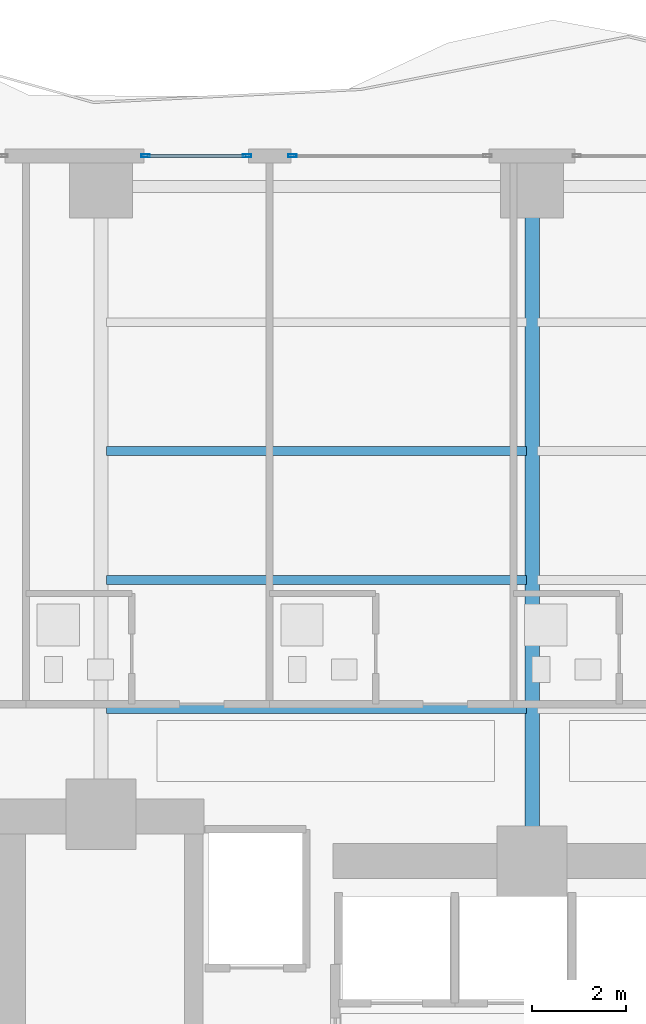
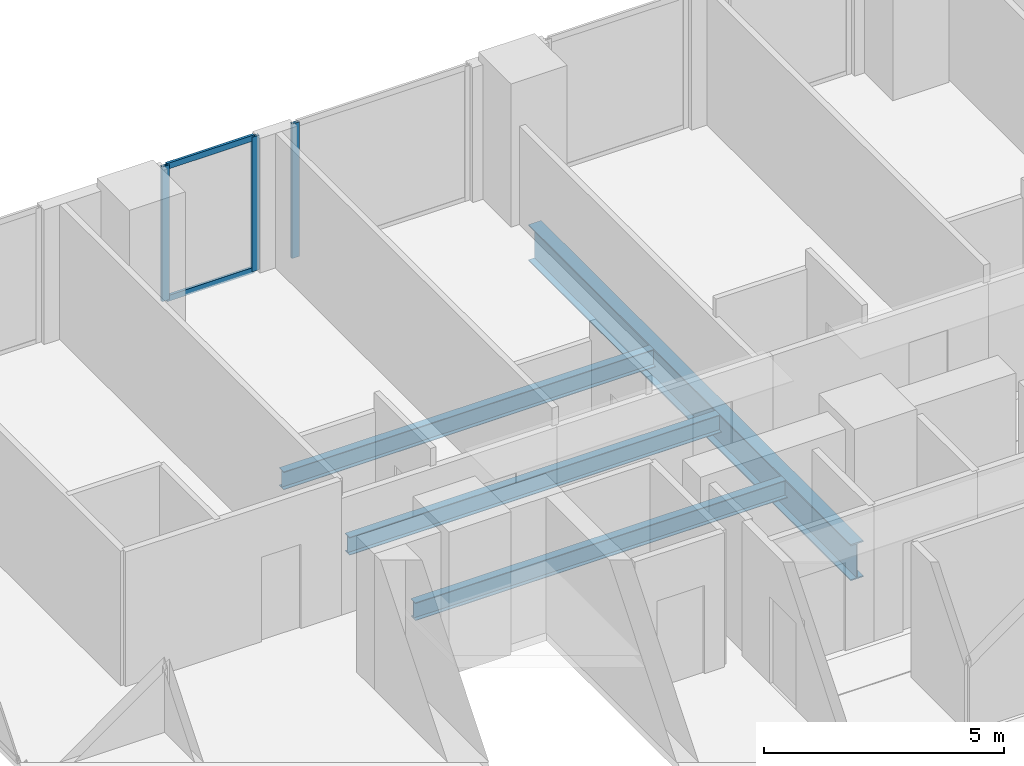
# One storey, part 15 of 29: 5 members, 4 beams, 2 elements without a shape of their own.
"""IFC4 building model written with IfcOpenShell, lengths in metres."""

import ifcopenshell
import ifcopenshell.guid

model = None  # the IFC model being written
_history = None  # IfcOwnerHistory: only IFC2X3 demands one
_inside = {}  # id of a spatial element -> (the spatial element, [elements in it])
_under = {}  # id of a project, library or spatial element -> (it, [spatial elements below it])
_declared = {}  # id of a project -> (the project, [libraries it declares])
_typed = {}  # id of a type object -> (the type object, [elements of that type])
_made_of = {}  # id of a material, layer set ... -> (it, [elements and type objects made of it])


def new_model(schema):
    """Start an empty IFC model of exactly this schema.

    Asked for "IFC4X3", IfcOpenShell would pick the latest addendum, in which some entities
    have other attributes; the version numbers below select the first issue.
    IFC2X3 requires an IfcOwnerHistory on every rooted entity: one is made here for all.
    """
    global model, _history
    if schema == "IFC4X3":
        model = ifcopenshell.file(schema_version=(4, 3, 0, 0))
    else:
        model = ifcopenshell.file(schema=schema)
    _inside.clear()
    _under.clear()
    _declared.clear()
    _typed.clear()
    _made_of.clear()
    _history = None
    if model.schema == "IFC2X3":
        org = make("IfcOrganization", Name="unknown")
        user = make(
            "IfcPersonAndOrganization",
            ThePerson=make("IfcPerson", FamilyName="unknown"),
            TheOrganization=org,
        )
        app = make(
            "IfcApplication",
            ApplicationDeveloper=org,
            Version="unknown",
            ApplicationFullName="unknown",
            ApplicationIdentifier="unknown",
        )
        _history = make(
            "IfcOwnerHistory",
            OwningUser=user,
            OwningApplication=app,
            ChangeAction="ADDED",
            CreationDate=0,
        )
    return model


def make(cls, **values):
    """One entity of the class cls with the attributes given. An attribute that is None is left unset."""
    return model.create_entity(
        cls, **{name: value for name, value in values.items() if value is not None}
    )


def rooted(cls, **values):
    """An entity with a GlobalId (a new one), such as an element, a storey or a relation."""
    return make(cls, GlobalId=ifcopenshell.guid.new(), OwnerHistory=_history, **values)


def si_unit(unit_type, name, prefix=None):
    """IfcSIUnit, for example si_unit("LENGTHUNIT", "METRE", prefix="MILLI")."""
    return make("IfcSIUnit", UnitType=unit_type, Prefix=prefix, Name=name)


def assignment(units):
    """IfcUnitAssignment: the units of a project."""
    return None if units is None else make("IfcUnitAssignment", Units=units)


def point(xyz):
    """IfcCartesianPoint."""
    return None if xyz is None else make("IfcCartesianPoint", Coordinates=xyz)


def direction(xyz):
    """IfcDirection."""
    return None if xyz is None else make("IfcDirection", DirectionRatios=xyz)


def frame(location, z_axis=None, x_axis=None):
    """IfcAxis2Placement3D, a coordinate frame: its origin and axes. An axis left out is left unset."""
    return make(
        "IfcAxis2Placement3D",
        Location=point(location),
        Axis=direction(z_axis),
        RefDirection=direction(x_axis),
    )


def frame_2d(location, x_axis=None):
    """IfcAxis2Placement2D, a coordinate frame in the plane: its origin and x axis."""
    return make(
        "IfcAxis2Placement2D", Location=point(location), RefDirection=direction(x_axis)
    )


def origin():
    """The frame at (0, 0, 0) with its axes left unset."""
    return frame((0.0, 0.0, 0.0))


def origin_2d():
    """The frame at (0, 0) in the plane with its x axis left unset."""
    return frame_2d((0.0, 0.0))


def place(relative_to, where):
    """IfcLocalPlacement: puts the frame where relative to a parent placement (None: the world)."""
    return make(
        "IfcLocalPlacement", PlacementRelTo=relative_to, RelativePlacement=where
    )


def context(
    kind, dimensions, precision=None, world=None, true_north=None, identifier=None
):
    """IfcGeometricRepresentationContext, for example the 3D "Model" context."""
    return make(
        "IfcGeometricRepresentationContext",
        ContextIdentifier=identifier,
        ContextType=kind,
        CoordinateSpaceDimension=dimensions,
        Precision=precision,
        WorldCoordinateSystem=world,
        TrueNorth=true_north,
    )


def subcontext(parent, identifier, kind, view, scale=None):
    """IfcGeometricRepresentationSubContext, for example "Body" below "Model"."""
    return make(
        "IfcGeometricRepresentationSubContext",
        ContextIdentifier=identifier,
        ContextType=kind,
        ParentContext=parent,
        TargetScale=scale,
        TargetView=view,
    )


def project(units=None, contexts=None):
    """IfcProject with its units and contexts."""
    return rooted(
        "IfcProject",
        Name="project",
        RepresentationContexts=contexts,
        UnitsInContext=assignment(units),
    )


def spatial(cls, under=None, at=None, **own):
    """A site, building, storey or space (cls), placed at a placement, below another one or the project."""
    s = rooted(cls, ObjectPlacement=at, **own)
    if under is not None:
        _under.setdefault(under.id(), (under, []))[1].append(s)
    return s


def profile(cls, at=None, kind="AREA", **sizes):
    """A parametric profile (cls). Its sizes go by their IFC names, for example OverallWidth=200.0."""
    return make(cls, ProfileType=kind, Position=at, **sizes)


def hollow_rectangle(**sizes):
    """IfcRectangleHollowProfileDef."""
    return profile("IfcRectangleHollowProfileDef", **sizes)


def i_section(**sizes):
    """IfcIShapeProfileDef."""
    return profile("IfcIShapeProfileDef", **sizes)


def extrude(swept, where, along, depth):
    """IfcExtrudedAreaSolid: the profile swept, set in the frame where, extruded along a direction by depth."""
    return make(
        "IfcExtrudedAreaSolid",
        SweptArea=swept,
        Position=where,
        ExtrudedDirection=direction(along),
        Depth=depth,
    )


def shape(context_of_items, identifier, shape_type, items):
    """IfcShapeRepresentation: the items that make up one representation, for example the "Body"."""
    return make(
        "IfcShapeRepresentation",
        ContextOfItems=context_of_items,
        RepresentationIdentifier=identifier,
        RepresentationType=shape_type,
        Items=items,
    )


def material(Name=None, Category=None):
    """IfcMaterial."""
    return make("IfcMaterial", Name=Name, Category=Category)


def layer(
    of_material, thickness, ventilated=None, Name=None, Category=None, Priority=None
):
    """IfcMaterialLayer: one layer of a wall or slab, of a material (None: an air gap)."""
    return make(
        "IfcMaterialLayer",
        Material=of_material,
        LayerThickness=thickness,
        IsVentilated=ventilated,
        Name=Name,
        Category=Category,
        Priority=Priority,
    )


def layer_set(layers, Name=None):
    """IfcMaterialLayerSet."""
    return make("IfcMaterialLayerSet", MaterialLayers=layers, LayerSetName=Name)


def material_profile(
    of_material, cross_section, Name=None, Category=None, Priority=None
):
    """IfcMaterialProfile: a cross section and its material."""
    return make(
        "IfcMaterialProfile",
        Name=Name,
        Material=of_material,
        Profile=cross_section,
        Priority=Priority,
        Category=Category,
    )


def profile_set(profiles, Name=None, composite=None):
    """IfcMaterialProfileSet."""
    return make(
        "IfcMaterialProfileSet",
        Name=Name,
        MaterialProfiles=profiles,
        CompositeProfile=composite,
    )


def made_of(thing, what):
    """Note that an element or type object is made of a material, layer set ...; save() writes the relation."""
    if what is not None:
        _made_of.setdefault(what.id(), (what, []))[1].append(thing)
    return thing


def type_object(cls, material=None, **own):
    """A type object (cls), such as IfcWallType, which elements share."""
    return made_of(rooted(cls, **own), material)


def element(
    cls,
    number,
    at=None,
    inside=None,
    cuts=None,
    type_object=None,
    material=None,
    context=None,
    identifier="Body",
    shape_type=None,
    held_by="IfcProductDefinitionShape",
    body=None,
    shapes=None,
    **own,
):
    """One element of the class cls, such as IfcWall. Its Tag is "e" and its number.

    at: its placement. inside: the storey or other place that contains it. cuts: it is an
    opening in that element (IfcRelVoidsElement). A single representation is given by context,
    identifier, shape_type and body (its items); several are given by shapes. held_by: the class
    of the entity that holds the representations. save() writes the other relations.
    """
    e = rooted(cls, Tag="e%d" % number, ObjectPlacement=at, **own)
    if body is not None:
        shapes = [shape(context, identifier, shape_type, body)]
    if shapes is not None:
        e.Representation = make(held_by, Representations=shapes)
    if inside is not None:
        _inside.setdefault(inside.id(), (inside, []))[1].append(e)
    if cuts is not None:
        rooted(
            "IfcRelVoidsElement", RelatingBuildingElement=cuts, RelatedOpeningElement=e
        )
    if type_object is not None:
        _typed.setdefault(type_object.id(), (type_object, []))[1].append(e)
    return made_of(e, material)


def aggregate(whole, parts):
    """IfcRelAggregates: a whole, such as a stair, and the parts it consists of."""
    return rooted("IfcRelAggregates", RelatingObject=whole, RelatedObjects=parts)


def save(model, path):
    """Write the relations noted so far, then the file.

    IfcRelAggregates (storeys below a building ...), IfcRelContainedInSpatialStructure (elements
    in a storey), IfcRelDefinesByType, IfcRelAssociatesMaterial and IfcRelDeclares: one each for
    every whole, place, type object, material and project.
    """
    for whole, parts in _under.values():
        aggregate(whole, parts)
    for where, things in _inside.values():
        rooted(
            "IfcRelContainedInSpatialStructure",
            RelatedElements=things,
            RelatingStructure=where,
        )
    for kind, things in _typed.values():
        rooted("IfcRelDefinesByType", RelatedObjects=things, RelatingType=kind)
    for what, things in _made_of.values():
        rooted("IfcRelAssociatesMaterial", RelatedObjects=things, RelatingMaterial=what)
    for by, libraries in _declared.values():
        rooted("IfcRelDeclares", RelatingContext=by, RelatedDefinitions=libraries)
    model.write(path)


model = new_model("IFC4")

# Units and contexts
model_context = context("Model", 3, precision=1e-05, world=origin(), true_north=direction((0.0, 1.0)))
body_context = subcontext(model_context, "Body", "Model", "MODEL_VIEW")
ifc_project = project(units=[si_unit("LENGTHUNIT", "METRE"), si_unit("AREAUNIT", "SQUARE_METRE"), si_unit("VOLUMEUNIT", "CUBIC_METRE"), si_unit("PLANEANGLEUNIT", "RADIAN"), si_unit("MASSUNIT", "GRAM", prefix="KILO")], contexts=[model_context])

# Site, building, storey
site_placement = place(None, origin())
site = spatial("IfcSite", under=ifc_project, at=site_placement, CompositionType="ELEMENT")
building_placement = place(site_placement, origin())
building = spatial("IfcBuilding", under=site, at=building_placement, Name="Zuhayl Quay Hotel", CompositionType="ELEMENT")
storey_placement = place(building_placement, frame((0.0, 0.0, 113.89990234375)))
storey = spatial("IfcBuildingStorey", under=building, at=storey_placement, Name="L28", CompositionType="ELEMENT", Elevation=113.89990234375)

# Beams
ifc_material_1 = material(Name="Steel ASTM A992 Grade 50", Category="steel")
ifc_material_profile_1 = material_profile(ifc_material_1, i_section(OverallWidth=0.18994140625, OverallDepth=0.45703125, WebThickness=0.009033203125, FlangeThickness=0.014404296875, at=origin_2d()), Name="W18X50")
ifc_profile_set_1 = profile_set([ifc_material_profile_1], Name="Steel ASTM A992 Grade 50")
beam_type_1 = type_object("IfcBeamType", Name="BM_J2_W18X50", PredefinedType="JOIST", material=ifc_profile_set_1)
for number, where, z_axis, x_axis, name in (
    (1, (-13.680908203125, 16.60009765625, -0.448486328125), (1.0, 0.0, 0.0), (0.0, 1.0, 0.0), "L28 Floor Beam FJ_L28_1_1"),
    (2, (-13.680908203125, 19.35009765625, -0.448486328125), (1.0, 0.0, 0.0), (0.0, 1.0, 0.0), "L28 Floor Beam FJ_L28_2_1"),
    (3, (-13.680908203125, 22.10009765625, -0.448486328125), (1.0, 0.0, 0.0), (0.0, 1.0, 0.0), "L28 Floor Beam FJ_L28_3_1"),
):
    element("IfcBeam", number, at=place(storey_placement, frame(where, z_axis=z_axis, x_axis=x_axis)), inside=storey, type_object=beam_type_1, Name=name, PredefinedType="JOIST", context=body_context, shape_type="SweptSolid", body=[
        extrude(i_section(OverallWidth=0.18994140625, OverallDepth=0.45703125, WebThickness=0.009033203125, FlangeThickness=0.014404296875, at=origin_2d()), origin(), (0.0, 0.0, 1.0), 8.9619140625),
    ])
ifc_material_profile_2 = material_profile(ifc_material_1, i_section(OverallWidth=0.306884765625, OverallDepth=0.927001953125, WebThickness=0.019287109375, FlangeThickness=0.031982421875, at=origin_2d()), Name="W36X194")
ifc_profile_set_2 = profile_set([ifc_material_profile_2], Name="Steel ASTM A992 Grade 50")
beam_type_2 = type_object("IfcBeamType", Name="BM_PG2_W36X194", PredefinedType="BEAM", material=ifc_profile_set_2)
beam_placement = place(storey_placement, frame((-4.60009765625, 13.800048828125, -0.683349609375), z_axis=(0.0, 1.0, 0.0), x_axis=(-1.0, 0.0, 0.0)))
element("IfcBeam", 4, at=beam_placement, inside=storey, type_object=beam_type_2, Name="L28 Floor Beam FG_N_L28_2", PredefinedType="BEAM", context=body_context, shape_type="SweptSolid", body=[
    extrude(i_section(OverallWidth=0.306884765625, OverallDepth=0.927001953125, WebThickness=0.019287109375, FlangeThickness=0.031982421875, at=origin_2d()), origin(), (0.0, 0.0, 1.0), 13.449951171875),
])

# Curtain wall, members
ifc_material_2 = material(Name="Anodised Aluminium 6063-T6", Category="aluminium")
ifc_layer = layer(ifc_material_2, 0.179931640625, Name="Anodised Aluminium 6063-T6", Category="aluminium")
ifc_layer_set = layer_set([ifc_layer], Name="Anodised Aluminium 6063-T6")
curtain_wall_type = type_object("IfcCurtainWallType", Name="CW_SYS_Z2", PredefinedType="USERDEFINED", material=ifc_layer_set)
curtain_wall_1_placement = place(storey_placement, origin())
curtain_wall_1 = element("IfcCurtainWall", 5, at=curtain_wall_1_placement, inside=storey, type_object=curtain_wall_type, Name="L28 Curtain Wall ENV_L28_N_CW2", ObjectType="UNITISED CURTAIN WALL", PredefinedType="USERDEFINED")
ifc_material_3 = material(Name="Black-anodised aluminium 6063-T6", Category="aluminium")
ifc_material_profile_3 = material_profile(ifc_material_3, hollow_rectangle(XDim=0.06494140625, YDim=0.179931640625, WallThickness=0.00341796875, at=origin_2d()), Name="ALU180X65")
ifc_profile_set_3 = profile_set([ifc_material_profile_3], Name="Black-anodised aluminium 6063-T6")
member_type_1 = type_object("IfcMemberType", Name="MB_CW_MUL_180", PredefinedType="MULLION", material=ifc_profile_set_3)
member_1_placement = place(storey_placement, frame((-12.847412109375, 28.39990234375, 0.0), z_axis=(0.0, 0.0, 1.0), x_axis=(0.0, 1.0, 0.0)))
member_1 = element("IfcMember", 6, at=member_1_placement, type_object=member_type_1, Name="CW-Z2 mullion 1", PredefinedType="MULLION", context=body_context, shape_type="SweptSolid", body=[
    extrude(hollow_rectangle(XDim=0.06494140625, YDim=0.179931640625, WallThickness=0.00341796875, at=origin_2d()), origin(), (0.0, 0.0, 1.0), 3.43017578125),
])
member_2_placement = place(storey_placement, frame((-10.6826171875, 28.39990234375, 0.0), z_axis=(0.0, 0.0, 1.0), x_axis=(0.0, 1.0, 0.0)))
member_2 = element("IfcMember", 7, at=member_2_placement, type_object=member_type_1, Name="CW-Z2 mullion 2", PredefinedType="MULLION", context=body_context, shape_type="SweptSolid", body=[
    extrude(hollow_rectangle(XDim=0.06494140625, YDim=0.179931640625, WallThickness=0.00341796875, at=origin_2d()), origin(), (0.0, 0.0, 1.0), 3.43017578125),
])

# Curtain wall, member
curtain_wall_2_placement = place(storey_placement, origin())
curtain_wall_2 = element("IfcCurtainWall", 8, at=curtain_wall_2_placement, inside=storey, type_object=curtain_wall_type, Name="L28 Curtain Wall ENV_L28_N_CW3", ObjectType="UNITISED CURTAIN WALL", PredefinedType="USERDEFINED")
member_3_placement = place(storey_placement, frame((-9.717529296875, 28.39990234375, 0.0), z_axis=(0.0, 0.0, 1.0), x_axis=(0.0, 1.0, 0.0)))
member_3 = element("IfcMember", 9, at=member_3_placement, type_object=member_type_1, Name="CW-Z2 mullion 1", PredefinedType="MULLION", context=body_context, shape_type="SweptSolid", body=[
    extrude(hollow_rectangle(XDim=0.06494140625, YDim=0.179931640625, WallThickness=0.00341796875, at=origin_2d()), origin(), (0.0, 0.0, 1.0), 3.43017578125),
])
aggregate(curtain_wall_2, [member_3])

# Member
ifc_material_profile_4 = material_profile(ifc_material_3, hollow_rectangle(XDim=0.06005859375, YDim=0.14990234375, WallThickness=0.00341796875, at=origin_2d()), Name="ALU150X60")
ifc_profile_set_4 = profile_set([ifc_material_profile_4], Name="Black-anodised aluminium 6063-T6")
member_type_2 = type_object("IfcMemberType", Name="MB_CW_TRN_150", PredefinedType="USERDEFINED", material=ifc_profile_set_4)
member_4_placement = place(storey_placement, frame((-12.81494140625, 28.39990234375, 0.030029296875), z_axis=(1.0, 0.0, 0.0), x_axis=(0.0, 1.0, 0.0)))
member_4 = element("IfcMember", 10, at=member_4_placement, type_object=member_type_2, Name="CW-Z2 transom 1.1", ObjectType="TRANSOM", PredefinedType="USERDEFINED", context=body_context, shape_type="SweptSolid", body=[
    extrude(hollow_rectangle(XDim=0.06005859375, YDim=0.14990234375, WallThickness=0.00341796875, at=origin_2d()), origin(), (0.0, 0.0, 1.0), 2.099853515625),
])

member_5_placement = place(storey_placement, frame((-12.81494140625, 28.39990234375, 3.400146484375), z_axis=(1.0, 0.0, 0.0), x_axis=(0.0, 1.0, 0.0)))
member_5 = element("IfcMember", 11, at=member_5_placement, type_object=member_type_2, Name="CW-Z2 transom 1.2", ObjectType="TRANSOM", PredefinedType="USERDEFINED", context=body_context, shape_type="SweptSolid", body=[
    extrude(hollow_rectangle(XDim=0.06005859375, YDim=0.14990234375, WallThickness=0.00341796875, at=origin_2d()), origin(), (0.0, 0.0, 1.0), 2.099853515625),
])

aggregate(curtain_wall_1, [member_1, member_2, member_4, member_5])

save(model, "model.ifc")
